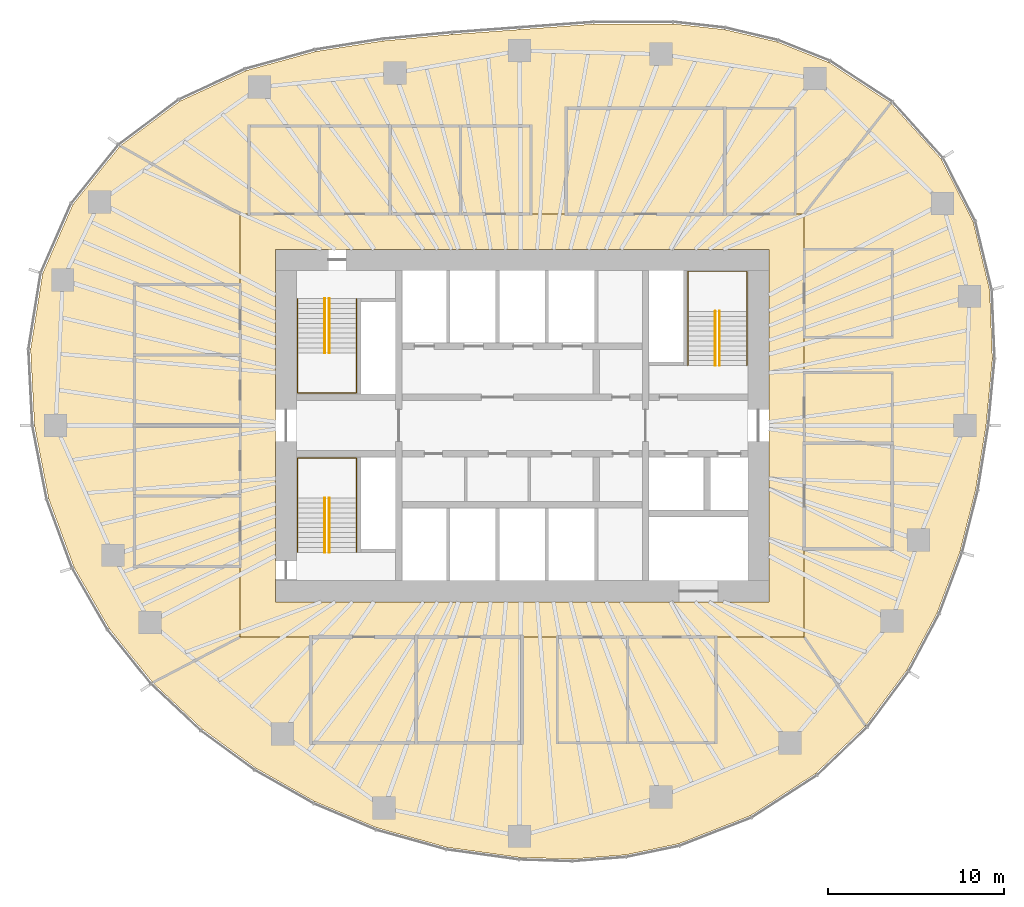
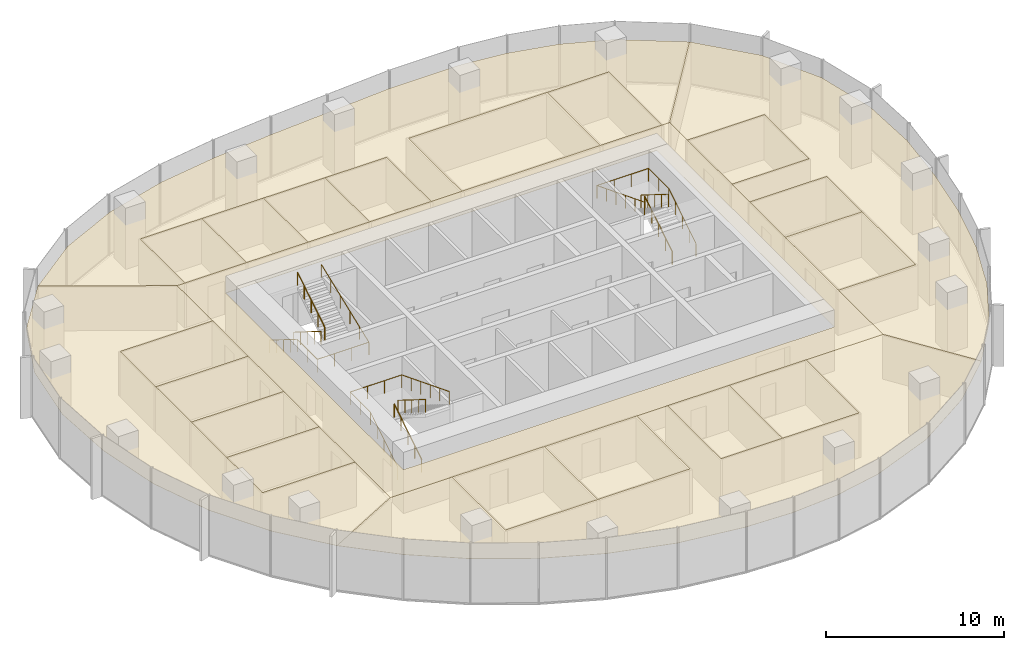
# One storey, part 12 of 12: 22 coverings, 9 railings.
"""IFC4 building model written with IfcOpenShell, lengths in metres."""

from ifc_helpers import new_model, si_unit, direction, frame, origin, origin_2d, place, context, subcontext, project, spatial, polyline, circle, outline, extrude, material, layer, layer_set, type_object, element, save


model = new_model("IFC4")

# Units and contexts
model_context = context("Model", 3, precision=1e-05, world=origin(), true_north=direction((0.0, 1.0)))
body_context = subcontext(model_context, "Body", "Model", "MODEL_VIEW")
ifc_project = project(units=[si_unit("LENGTHUNIT", "METRE"), si_unit("AREAUNIT", "SQUARE_METRE"), si_unit("VOLUMEUNIT", "CUBIC_METRE"), si_unit("PLANEANGLEUNIT", "RADIAN"), si_unit("MASSUNIT", "GRAM", prefix="KILO")], contexts=[model_context])

# Site, building, storey
site_placement = place(None, origin())
site = spatial("IfcSite", under=ifc_project, at=site_placement, CompositionType="ELEMENT")
building_placement = place(site_placement, origin())
building = spatial("IfcBuilding", under=site, at=building_placement, Name="Ghaith Harvest Tower", CompositionType="ELEMENT")
storey_placement = place(building_placement, frame((0.0, 0.0, 199.0)))
storey = spatial("IfcBuildingStorey", under=building, at=storey_placement, Name="L43", CompositionType="ELEMENT", Elevation=199.0)

# Coverings
ifc_material_1 = material(Name="Mineral fibre ceiling tile", Category="gypsum")
ifc_layer = layer(ifc_material_1, 0.02001953125)
ifc_layer_set = layer_set([ifc_layer], Name="CEILING C1")
covering_type = type_object("IfcCoveringType", Name="CEILING C1", PredefinedType="CEILING", material=ifc_layer_set)
covering_1_placement = place(storey_placement, frame((0.0, 0.0, 3.0)))
element("IfcCovering", 1, at=covering_1_placement, inside=storey, type_object=covering_type, Name="Ceiling L43-01", PredefinedType="CEILING", context=body_context, shape_type="SweptSolid", body=[
    extrude(outline(polyline([(-15.5, 12.0), (-11.5, 12.0), (-11.5, 17.0), (-15.5, 17.0), (-15.5, 12.0)])), origin(), (0.0, 0.0, 1.0), 0.02001953125),
])
covering_2_placement = place(storey_placement, frame((0.0, 0.0, 3.0)))
element("IfcCovering", 2, at=covering_2_placement, inside=storey, type_object=covering_type, Name="Ceiling L43-02", PredefinedType="CEILING", context=body_context, shape_type="SweptSolid", body=[
    extrude(outline(polyline([(-11.5, 12.0), (-7.5, 12.0), (-7.5, 17.0), (-11.5, 17.0), (-11.5, 12.0)])), origin(), (0.0, 0.0, 1.0), 0.02001953125),
])
covering_3_placement = place(storey_placement, frame((0.0, 0.0, 3.0)))
element("IfcCovering", 3, at=covering_3_placement, inside=storey, type_object=covering_type, Name="Ceiling L43-03", PredefinedType="CEILING", context=body_context, shape_type="SweptSolid", body=[
    extrude(outline(polyline([(-7.5, 12.0), (-3.5, 12.0), (-3.5, 17.0), (-7.5, 17.0), (-7.5, 12.0)])), origin(), (0.0, 0.0, 1.0), 0.02001953125),
])
covering_4_placement = place(storey_placement, frame((0.0, 0.0, 3.0)))
element("IfcCovering", 4, at=covering_4_placement, inside=storey, type_object=covering_type, Name="Ceiling L43-04", PredefinedType="CEILING", context=body_context, shape_type="SweptSolid", body=[
    extrude(outline(polyline([(-3.5, 12.0), (0.5, 12.0), (0.5, 17.0), (-3.5, 17.0), (-3.5, 12.0)])), origin(), (0.0, 0.0, 1.0), 0.02001953125),
])
covering_5_placement = place(storey_placement, frame((0.0, 0.0, 3.0)))
element("IfcCovering", 5, at=covering_5_placement, inside=storey, type_object=covering_type, Name="Ceiling L43-05", PredefinedType="CEILING", context=body_context, shape_type="SweptSolid", body=[
    extrude(outline(polyline([(2.5, 12.0), (11.5, 12.0), (11.5, 18.0), (2.5, 18.0), (2.5, 12.0)])), origin(), (0.0, 0.0, 1.0), 0.02001953125),
])
covering_6_placement = place(storey_placement, frame((0.0, 0.0, 3.0)))
element("IfcCovering", 6, at=covering_6_placement, inside=storey, type_object=covering_type, Name="Ceiling L43-06", PredefinedType="CEILING", context=body_context, shape_type="SweptSolid", body=[
    extrude(outline(polyline([(11.5, 12.0), (15.5, 12.0), (15.5, 18.0), (11.5, 18.0), (11.5, 12.0)])), origin(), (0.0, 0.0, 1.0), 0.02001953125),
])
covering_7_placement = place(storey_placement, frame((0.0, 0.0, 3.0)))
element("IfcCovering", 7, at=covering_7_placement, inside=storey, type_object=covering_type, Name="Ceiling L43-07", PredefinedType="CEILING", context=body_context, shape_type="SweptSolid", body=[
    extrude(outline(polyline([(-12.0, -18.0), (-6.0, -18.0), (-6.0, -12.0), (-12.0, -12.0), (-12.0, -18.0)])), origin(), (0.0, 0.0, 1.0), 0.02001953125),
])
covering_8_placement = place(storey_placement, frame((0.0, 0.0, 3.0)))
element("IfcCovering", 8, at=covering_8_placement, inside=storey, type_object=covering_type, Name="Ceiling L43-08", PredefinedType="CEILING", context=body_context, shape_type="SweptSolid", body=[
    extrude(outline(polyline([(-6.0, -18.0), (0.0, -18.0), (0.0, -12.0), (-6.0, -12.0), (-6.0, -18.0)])), origin(), (0.0, 0.0, 1.0), 0.02001953125),
])
covering_9_placement = place(storey_placement, frame((0.0, 0.0, 3.0)))
element("IfcCovering", 9, at=covering_9_placement, inside=storey, type_object=covering_type, Name="Ceiling L43-09", PredefinedType="CEILING", context=body_context, shape_type="SweptSolid", body=[
    extrude(outline(polyline([(2.0, -18.0), (6.0, -18.0), (6.0, -12.0), (2.0, -12.0), (2.0, -18.0)])), origin(), (0.0, 0.0, 1.0), 0.02001953125),
])
covering_10_placement = place(storey_placement, frame((0.0, 0.0, 3.0)))
element("IfcCovering", 10, at=covering_10_placement, inside=storey, type_object=covering_type, Name="Ceiling L43-10", PredefinedType="CEILING", context=body_context, shape_type="SweptSolid", body=[
    extrude(outline(polyline([(6.0, -18.0), (11.0, -18.0), (11.0, -12.0), (6.0, -12.0), (6.0, -18.0)])), origin(), (0.0, 0.0, 1.0), 0.02001953125),
])
covering_11_placement = place(storey_placement, frame((0.0, 0.0, 3.0)))
element("IfcCovering", 11, at=covering_11_placement, inside=storey, type_object=covering_type, Name="Ceiling L43-11", PredefinedType="CEILING", context=body_context, shape_type="SweptSolid", body=[
    extrude(outline(polyline([(16.0, -7.0), (21.0, -7.0), (21.0, -1.0), (16.0, -1.0), (16.0, -7.0)])), origin(), (0.0, 0.0, 1.0), 0.02001953125),
])
covering_12_placement = place(storey_placement, frame((0.0, 0.0, 3.0)))
element("IfcCovering", 12, at=covering_12_placement, inside=storey, type_object=covering_type, Name="Ceiling L43-12", PredefinedType="CEILING", context=body_context, shape_type="SweptSolid", body=[
    extrude(outline(polyline([(16.0, -1.0), (21.0, -1.0), (21.0, 3.0), (16.0, 3.0), (16.0, -1.0)])), origin(), (0.0, 0.0, 1.0), 0.02001953125),
])
covering_13_placement = place(storey_placement, frame((0.0, 0.0, 3.0)))
element("IfcCovering", 13, at=covering_13_placement, inside=storey, type_object=covering_type, Name="Ceiling L43-13", PredefinedType="CEILING", context=body_context, shape_type="SweptSolid", body=[
    extrude(outline(polyline([(-22.0, -8.0), (-16.0, -8.0), (-16.0, -4.0), (-22.0, -4.0), (-22.0, -8.0)])), origin(), (0.0, 0.0, 1.0), 0.02001953125),
])
covering_14_placement = place(storey_placement, frame((0.0, 0.0, 3.0)))
element("IfcCovering", 14, at=covering_14_placement, inside=storey, type_object=covering_type, Name="Ceiling L43-14", PredefinedType="CEILING", context=body_context, shape_type="SweptSolid", body=[
    extrude(outline(polyline([(-22.0, -4.0), (-16.0, -4.0), (-16.0, 0.0), (-22.0, 0.0), (-22.0, -4.0)])), origin(), (0.0, 0.0, 1.0), 0.02001953125),
])
covering_15_placement = place(storey_placement, frame((0.0, 0.0, 3.0)))
element("IfcCovering", 15, at=covering_15_placement, inside=storey, type_object=covering_type, Name="Ceiling L43-15", PredefinedType="CEILING", context=body_context, shape_type="SweptSolid", body=[
    extrude(outline(polyline([(-22.0, 0.0), (-16.0, 0.0), (-16.0, 4.0), (-22.0, 4.0), (-22.0, 0.0)])), origin(), (0.0, 0.0, 1.0), 0.02001953125),
])
covering_16_placement = place(storey_placement, frame((0.0, 0.0, 3.0)))
element("IfcCovering", 16, at=covering_16_placement, inside=storey, type_object=covering_type, Name="Ceiling L43-16", PredefinedType="CEILING", context=body_context, shape_type="SweptSolid", body=[
    extrude(outline(polyline([(-22.0, 4.0), (-16.0, 4.0), (-16.0, 8.0), (-22.0, 8.0), (-22.0, 4.0)])), origin(), (0.0, 0.0, 1.0), 0.02001953125),
])
covering_17_placement = place(storey_placement, frame((0.0, 0.0, 3.0)))
element("IfcCovering", 17, at=covering_17_placement, inside=storey, type_object=covering_type, Name="Ceiling L43-17", PredefinedType="CEILING", context=body_context, shape_type="SweptSolid", body=[
    extrude(outline(polyline([(16.0, 5.0), (21.0, 5.0), (21.0, 10.0), (16.0, 10.0), (16.0, 5.0)])), origin(), (0.0, 0.0, 1.0), 0.02001953125),
])
covering_18_placement = place(storey_placement, frame((0.0, 0.0, 3.0)))
element("IfcCovering", 18, at=covering_18_placement, inside=storey, type_object=covering_type, Name="Ceiling L43-C1", PredefinedType="CEILING", context=body_context, shape_type="SweptSolid", body=[
    extrude(outline(polyline([(-16.0, 12.0), (16.0, 12.0), (16.0, -12.0), (-16.0, -12.0), (-16.0, 12.0)]), holes=[polyline([(-14.0, 10.0), (-14.0, -10.0), (14.0, -10.0), (14.0, 10.0), (-14.0, 10.0)])]), origin(), (0.0, 0.0, 1.0), 0.02001953125),
])
covering_19_placement = place(storey_placement, frame((0.0, 0.0, 3.0)))
element("IfcCovering", 19, at=covering_19_placement, inside=storey, type_object=covering_type, Name="Ceiling L43-N1", PredefinedType="CEILING", context=body_context, shape_type="SweptSolid", body=[
    extrude(outline(polyline([(-19.408203125, 18.41650390625), (-15.6474609375, 20.147705078125), (-11.694580078125, 21.2314453125), (-7.8837890625, 21.827880859375), (-3.963134765625, 22.192138671875), (-0.15380859375, 22.470458984375), (4.03857421875, 22.78125), (8.522216796875, 22.796875), (11.47265625, 22.47265625), (14.460693359375, 21.771484375), (17.382080078125, 20.612548828125), (20.923095703125, 18.295166015625), (16.0, 12.0), (15.5, 12.0), (15.5, 18.0), (2.5, 18.0), (2.5, 12.0), (0.5, 12.0), (0.5, 17.0), (-15.5, 17.0), (-15.5, 12.0), (-16.0, 12.0), (-22.809814453125, 15.87109375), (-19.408203125, 18.41650390625)])), origin(), (0.0, 0.0, 1.0), 0.02001953125),
])
covering_20_placement = place(storey_placement, frame((0.0, 0.0, 3.0)))
element("IfcCovering", 20, at=covering_20_placement, inside=storey, type_object=covering_type, Name="Ceiling L43-E1", PredefinedType="CEILING", context=body_context, shape_type="SweptSolid", body=[
    extrude(outline(polyline([(23.77294921875, 15.12939453125), (25.597900390625, 11.55615234375), (26.531005859375, 7.668212890625), (26.685791015625, 3.779052734375), (26.324951171875, 0.0), (25.734375, -3.644287109375), (24.840576171875, -7.179443359375), (23.548828125, -10.631103515625), (21.821533203125, -13.887451171875), (19.48388671875, -17.036865234375), (16.0, -12.0), (16.0, -7.0), (21.0, -7.0), (21.0, 3.0), (16.0, 3.0), (16.0, 5.0), (21.0, 5.0), (21.0, 10.0), (16.0, 10.0), (16.0, 12.0), (20.923095703125, 18.295166015625), (23.77294921875, 15.12939453125)])), origin(), (0.0, 0.0, 1.0), 0.02001953125),
])
covering_21_placement = place(storey_placement, frame((0.0, 0.0, 3.0)))
element("IfcCovering", 21, at=covering_21_placement, inside=storey, type_object=covering_type, Name="Ceiling L43-S1", PredefinedType="CEILING", context=body_context, shape_type="SweptSolid", body=[
    extrude(outline(polyline([(16.651611328125, -19.746337890625), (12.949462890625, -22.1435546875), (8.8740234375, -23.73779296875), (5.865234375, -24.3662109375), (2.833984375, -24.602294921875), (-0.167724609375, -24.505126953125), (-4.27490234375, -23.9375), (-8.2451171875, -22.82861328125), (-11.75732421875, -21.345703125), (-15.10400390625, -19.447998046875), (-18.15087890625, -17.223388671875), (-20.963134765625, -14.586181640625), (-16.0, -12.0), (-12.0, -12.0), (-12.0, -18.0), (0.0, -18.0), (0.0, -12.0), (2.0, -12.0), (2.0, -18.0), (11.0, -18.0), (11.0, -12.0), (16.0, -12.0), (19.48388671875, -17.036865234375), (16.651611328125, -19.746337890625)])), origin(), (0.0, 0.0, 1.0), 0.02001953125),
])
covering_22_placement = place(storey_placement, frame((0.0, 0.0, 3.0)))
element("IfcCovering", 22, at=covering_22_placement, inside=storey, type_object=covering_type, Name="Ceiling L43-W1", PredefinedType="CEILING", context=body_context, shape_type="SweptSolid", body=[
    extrude(outline(polyline([(-26.86669921875, -4.155517578125), (-27.675048828125, 0.0), (-27.897216796875, 4.314697265625), (-27.211181640625, 8.623779296875), (-25.491943359375, 12.547607421875), (-22.809814453125, 15.87109375), (-16.0, 12.0), (-16.0, 8.0), (-22.0, 8.0), (-22.0, -8.0), (-16.0, -8.0), (-16.0, -12.0), (-20.963134765625, -14.586181640625), (-23.425537109375, -11.530517578125), (-25.424072265625, -8.057373046875), (-26.86669921875, -4.155517578125)])), origin(), (0.0, 0.0, 1.0), 0.02001953125),
])

# Railings
ifc_material_2 = material(Name="Steel, black powder-coated", Category="steel")
railing_type = type_object("IfcRailingType", Name="HANDRAIL HR1", PredefinedType="HANDRAIL", material=ifc_material_2)
railing_1_placement = place(storey_placement, frame((-11.199951171875, 7.199951171875, 0.175048828125)))
element("IfcRailing", 23, at=railing_1_placement, inside=storey, type_object=railing_type, Name="Handrail HR1 stair ST1 L43 flight 1 inner", PredefinedType="HANDRAIL", context=body_context, shape_type="SweptSolid", body=[
    extrude(circle(Radius=0.02392578125, at=origin_2d()), frame((0.0, 0.0, 0.8759765625), z_axis=(0.0, -0.847979421464, 0.530029150871), x_axis=(1.0, 0.0, 0.0)), (0.0, 0.0, 1.0), 3.632080078125),
    extrude(circle(Radius=0.02099609375, at=origin_2d()), origin(), (0.0, 0.0, 1.0), 0.851806640625),
    extrude(circle(Radius=0.02099609375, at=origin_2d()), frame((0.0, -0.77001953125, 0.481201171875)), (0.0, 0.0, 1.0), 0.851806640625),
    extrude(circle(Radius=0.02099609375, at=origin_2d()), frame((0.0, -1.5400390625, 0.96240234375)), (0.0, 0.0, 1.0), 0.851806640625),
    extrude(circle(Radius=0.02099609375, at=origin_2d()), frame((0.0, -2.309814453125, 1.44384765625)), (0.0, 0.0, 1.0), 0.851806640625),
    extrude(circle(Radius=0.02099609375, at=origin_2d()), frame((0.0, -3.079833984375, 1.925048828125)), (0.0, 0.0, 1.0), 0.851806640625),
])
railing_2_placement = place(storey_placement, frame((-10.949951171875, 4.1201171875, 2.27490234375)))
element("IfcRailing", 24, at=railing_2_placement, inside=storey, type_object=railing_type, Name="Handrail HR1 stair ST1 L43 flight 2 inner", PredefinedType="HANDRAIL", context=body_context, shape_type="SweptSolid", body=[
    extrude(circle(Radius=0.02392578125, at=origin_2d()), frame((0.0, 0.0, 0.8759765625), z_axis=(0.0, 0.847979421464, 0.530029150871), x_axis=(-1.0, 0.0, 0.0)), (0.0, 0.0, 1.0), 3.632080078125),
    extrude(circle(Radius=0.02099609375, at=origin_2d()), origin(), (0.0, 0.0, 1.0), 0.851806640625),
    extrude(circle(Radius=0.02099609375, at=origin_2d()), frame((0.0, 0.77001953125, 0.481201171875)), (0.0, 0.0, 1.0), 0.851806640625),
    extrude(circle(Radius=0.02099609375, at=origin_2d()), frame((0.0, 1.5400390625, 0.96240234375)), (0.0, 0.0, 1.0), 0.851806640625),
    extrude(circle(Radius=0.02099609375, at=origin_2d()), frame((0.0, 2.309814453125, 1.44384765625)), (0.0, 0.0, 1.0), 0.851806640625),
    extrude(circle(Radius=0.02099609375, at=origin_2d()), frame((0.0, 3.079833984375, 1.925048828125)), (0.0, 0.0, 1.0), 0.851806640625),
])
railing_3_placement = place(storey_placement, frame((-12.75, 7.199951171875, 0.175048828125)))
element("IfcRailing", 25, at=railing_3_placement, inside=storey, type_object=railing_type, Name="Handrail HR1 stair ST1 L43 wall side", PredefinedType="HANDRAIL", context=body_context, shape_type="SweptSolid", body=[
    extrude(circle(Radius=0.02392578125, at=origin_2d()), frame((0.0, 0.0, 0.8759765625), z_axis=(0.0, -0.847979421464, 0.530029150871), x_axis=(1.0, 0.0, 0.0)), (0.0, 0.0, 1.0), 3.632080078125),
    extrude(circle(Radius=0.02392578125, at=origin_2d()), frame((0.0, -3.079833984375, 2.80078125), z_axis=(0.0, -1.0, 0.0), x_axis=(1.0, 0.0, 0.0)), (0.0, 0.0, 1.0), 2.27001953125),
    extrude(circle(Radius=0.02392578125, at=origin_2d()), frame((0.0, -5.349853515625, 2.80078125), z_axis=(1.0, 0.0, 0.0), x_axis=(0.0, 1.0, 0.0)), (0.0, 0.0, 1.0), 3.35009765625),
    extrude(circle(Radius=0.02392578125, at=origin_2d()), frame((3.35009765625, -5.349853515625, 2.80078125), z_axis=(0.0, 0.930862461605, 0.365369781968), x_axis=(-1.0, 0.0, 0.0)), (0.0, 0.0, 1.0), 5.747314453125),
    extrude(circle(Radius=0.02099609375, at=origin_2d()), origin(), (0.0, 0.0, 1.0), 0.851806640625),
    extrude(circle(Radius=0.02099609375, at=origin_2d()), frame((0.0, -0.77001953125, 0.481201171875)), (0.0, 0.0, 1.0), 0.851806640625),
    extrude(circle(Radius=0.02099609375, at=origin_2d()), frame((0.0, -1.5400390625, 0.96240234375)), (0.0, 0.0, 1.0), 0.851806640625),
    extrude(circle(Radius=0.02099609375, at=origin_2d()), frame((0.0, -2.309814453125, 1.44384765625)), (0.0, 0.0, 1.0), 0.851806640625),
    extrude(circle(Radius=0.02099609375, at=origin_2d()), frame((0.0, -3.079833984375, 1.925048828125)), (0.0, 0.0, 1.0), 0.851806640625),
    extrude(circle(Radius=0.02099609375, at=origin_2d()), frame((0.0, -4.21484375, 1.925048828125)), (0.0, 0.0, 1.0), 0.851806640625),
    extrude(circle(Radius=0.02099609375, at=origin_2d()), frame((0.0, -5.349853515625, 1.925048828125)), (0.0, 0.0, 1.0), 0.851806640625),
    extrude(circle(Radius=0.02099609375, at=origin_2d()), frame((1.11669921875, -5.349853515625, 1.925048828125)), (0.0, 0.0, 1.0), 0.851806640625),
    extrude(circle(Radius=0.02099609375, at=origin_2d()), frame((2.2333984375, -5.349853515625, 1.925048828125)), (0.0, 0.0, 1.0), 0.851806640625),
    extrude(circle(Radius=0.02099609375, at=origin_2d()), frame((3.35009765625, -5.349853515625, 1.925048828125)), (0.0, 0.0, 1.0), 0.851806640625),
    extrude(circle(Radius=0.02099609375, at=origin_2d()), frame((3.35009765625, -4.27978515625, 2.344970703125)), (0.0, 0.0, 1.0), 0.851806640625),
    extrude(circle(Radius=0.02099609375, at=origin_2d()), frame((3.35009765625, -3.2099609375, 2.764892578125)), (0.0, 0.0, 1.0), 0.851806640625),
    extrude(circle(Radius=0.02099609375, at=origin_2d()), frame((3.35009765625, -2.139892578125, 3.18505859375)), (0.0, 0.0, 1.0), 0.851806640625),
    extrude(circle(Radius=0.02099609375, at=origin_2d()), frame((3.35009765625, -1.070068359375, 3.60498046875)), (0.0, 0.0, 1.0), 0.851806640625),
    extrude(circle(Radius=0.02099609375, at=origin_2d()), frame((3.35009765625, 0.0, 4.02490234375)), (0.0, 0.0, 1.0), 0.851806640625),
])
railing_4_placement = place(storey_placement, frame((-11.199951171875, -7.199951171875, 0.175048828125)))
element("IfcRailing", 26, at=railing_4_placement, inside=storey, type_object=railing_type, Name="Handrail HR1 stair ST3 L43 flight 1 inner", PredefinedType="HANDRAIL", context=body_context, shape_type="SweptSolid", body=[
    extrude(circle(Radius=0.02392578125, at=origin_2d()), frame((0.0, 0.0, 0.8759765625), z_axis=(0.0, 0.847979421464, 0.530029150871), x_axis=(-1.0, 0.0, 0.0)), (0.0, 0.0, 1.0), 3.632080078125),
    extrude(circle(Radius=0.02099609375, at=origin_2d()), origin(), (0.0, 0.0, 1.0), 0.851806640625),
    extrude(circle(Radius=0.02099609375, at=origin_2d()), frame((0.0, 0.77001953125, 0.481201171875)), (0.0, 0.0, 1.0), 0.851806640625),
    extrude(circle(Radius=0.02099609375, at=origin_2d()), frame((0.0, 1.5400390625, 0.96240234375)), (0.0, 0.0, 1.0), 0.851806640625),
    extrude(circle(Radius=0.02099609375, at=origin_2d()), frame((0.0, 2.309814453125, 1.44384765625)), (0.0, 0.0, 1.0), 0.851806640625),
    extrude(circle(Radius=0.02099609375, at=origin_2d()), frame((0.0, 3.079833984375, 1.925048828125)), (0.0, 0.0, 1.0), 0.851806640625),
])
railing_5_placement = place(storey_placement, frame((-10.949951171875, -4.1201171875, 2.27490234375)))
element("IfcRailing", 27, at=railing_5_placement, inside=storey, type_object=railing_type, Name="Handrail HR1 stair ST3 L43 flight 2 inner", PredefinedType="HANDRAIL", context=body_context, shape_type="SweptSolid", body=[
    extrude(circle(Radius=0.02392578125, at=origin_2d()), frame((0.0, 0.0, 0.8759765625), z_axis=(0.0, -0.847979421464, 0.530029150871), x_axis=(1.0, 0.0, 0.0)), (0.0, 0.0, 1.0), 3.632080078125),
    extrude(circle(Radius=0.02099609375, at=origin_2d()), origin(), (0.0, 0.0, 1.0), 0.851806640625),
    extrude(circle(Radius=0.02099609375, at=origin_2d()), frame((0.0, -0.77001953125, 0.481201171875)), (0.0, 0.0, 1.0), 0.851806640625),
    extrude(circle(Radius=0.02099609375, at=origin_2d()), frame((0.0, -1.5400390625, 0.96240234375)), (0.0, 0.0, 1.0), 0.851806640625),
    extrude(circle(Radius=0.02099609375, at=origin_2d()), frame((0.0, -2.309814453125, 1.44384765625)), (0.0, 0.0, 1.0), 0.851806640625),
    extrude(circle(Radius=0.02099609375, at=origin_2d()), frame((0.0, -3.079833984375, 1.925048828125)), (0.0, 0.0, 1.0), 0.851806640625),
])
railing_6_placement = place(storey_placement, frame((-12.75, -7.199951171875, 0.175048828125)))
element("IfcRailing", 28, at=railing_6_placement, inside=storey, type_object=railing_type, Name="Handrail HR1 stair ST3 L43 wall side", PredefinedType="HANDRAIL", context=body_context, shape_type="SweptSolid", body=[
    extrude(circle(Radius=0.02392578125, at=origin_2d()), frame((0.0, 0.0, 0.8759765625), z_axis=(0.0, 0.847979421464, 0.530029150871), x_axis=(-1.0, 0.0, 0.0)), (0.0, 0.0, 1.0), 3.632080078125),
    extrude(circle(Radius=0.02392578125, at=origin_2d()), frame((0.0, 3.079833984375, 2.80078125), z_axis=(0.0, 1.0, 0.0), x_axis=(-1.0, 0.0, 0.0)), (0.0, 0.0, 1.0), 2.27001953125),
    extrude(circle(Radius=0.02392578125, at=origin_2d()), frame((0.0, 5.349853515625, 2.80078125), z_axis=(1.0, 0.0, 0.0), x_axis=(0.0, 1.0, 0.0)), (0.0, 0.0, 1.0), 3.35009765625),
    extrude(circle(Radius=0.02392578125, at=origin_2d()), frame((3.35009765625, 5.349853515625, 2.80078125), z_axis=(0.0, -0.930862461605, 0.365369781968), x_axis=(1.0, 0.0, 0.0)), (0.0, 0.0, 1.0), 5.747314453125),
    extrude(circle(Radius=0.02099609375, at=origin_2d()), origin(), (0.0, 0.0, 1.0), 0.851806640625),
    extrude(circle(Radius=0.02099609375, at=origin_2d()), frame((0.0, 0.77001953125, 0.481201171875)), (0.0, 0.0, 1.0), 0.851806640625),
    extrude(circle(Radius=0.02099609375, at=origin_2d()), frame((0.0, 1.5400390625, 0.96240234375)), (0.0, 0.0, 1.0), 0.851806640625),
    extrude(circle(Radius=0.02099609375, at=origin_2d()), frame((0.0, 2.309814453125, 1.44384765625)), (0.0, 0.0, 1.0), 0.851806640625),
    extrude(circle(Radius=0.02099609375, at=origin_2d()), frame((0.0, 3.079833984375, 1.925048828125)), (0.0, 0.0, 1.0), 0.851806640625),
    extrude(circle(Radius=0.02099609375, at=origin_2d()), frame((0.0, 4.21484375, 1.925048828125)), (0.0, 0.0, 1.0), 0.851806640625),
    extrude(circle(Radius=0.02099609375, at=origin_2d()), frame((0.0, 5.349853515625, 1.925048828125)), (0.0, 0.0, 1.0), 0.851806640625),
    extrude(circle(Radius=0.02099609375, at=origin_2d()), frame((1.11669921875, 5.349853515625, 1.925048828125)), (0.0, 0.0, 1.0), 0.851806640625),
    extrude(circle(Radius=0.02099609375, at=origin_2d()), frame((2.2333984375, 5.349853515625, 1.925048828125)), (0.0, 0.0, 1.0), 0.851806640625),
    extrude(circle(Radius=0.02099609375, at=origin_2d()), frame((3.35009765625, 5.349853515625, 1.925048828125)), (0.0, 0.0, 1.0), 0.851806640625),
    extrude(circle(Radius=0.02099609375, at=origin_2d()), frame((3.35009765625, 4.27978515625, 2.344970703125)), (0.0, 0.0, 1.0), 0.851806640625),
    extrude(circle(Radius=0.02099609375, at=origin_2d()), frame((3.35009765625, 3.2099609375, 2.764892578125)), (0.0, 0.0, 1.0), 0.851806640625),
    extrude(circle(Radius=0.02099609375, at=origin_2d()), frame((3.35009765625, 2.139892578125, 3.18505859375)), (0.0, 0.0, 1.0), 0.851806640625),
    extrude(circle(Radius=0.02099609375, at=origin_2d()), frame((3.35009765625, 1.070068359375, 3.60498046875)), (0.0, 0.0, 1.0), 0.851806640625),
    extrude(circle(Radius=0.02099609375, at=origin_2d()), frame((3.35009765625, 0.0, 4.02490234375)), (0.0, 0.0, 1.0), 0.851806640625),
])
railing_7_placement = place(storey_placement, frame((11.199951171875, 3.39990234375, 0.175048828125)))
element("IfcRailing", 29, at=railing_7_placement, inside=storey, type_object=railing_type, Name="Handrail HR1 stair ST2 L43 flight 1 inner", PredefinedType="HANDRAIL", context=body_context, shape_type="SweptSolid", body=[
    extrude(circle(Radius=0.02392578125, at=origin_2d()), frame((0.0, 0.0, 0.8759765625), z_axis=(0.0, 0.847998304005, 0.529998940003), x_axis=(-1.0, 0.0, 0.0)), (0.0, 0.0, 1.0), 3.632080078125),
    extrude(circle(Radius=0.02099609375, at=origin_2d()), origin(), (0.0, 0.0, 1.0), 0.851806640625),
    extrude(circle(Radius=0.02099609375, at=origin_2d()), frame((0.0, 0.77001953125, 0.481201171875)), (0.0, 0.0, 1.0), 0.851806640625),
    extrude(circle(Radius=0.02099609375, at=origin_2d()), frame((0.0, 1.5400390625, 0.96240234375)), (0.0, 0.0, 1.0), 0.851806640625),
    extrude(circle(Radius=0.02099609375, at=origin_2d()), frame((0.0, 2.31005859375, 1.44384765625)), (0.0, 0.0, 1.0), 0.851806640625),
    extrude(circle(Radius=0.02099609375, at=origin_2d()), frame((0.0, 3.080078125, 1.925048828125)), (0.0, 0.0, 1.0), 0.851806640625),
])
railing_8_placement = place(storey_placement, frame((10.949951171875, 6.47998046875, 2.27490234375)))
element("IfcRailing", 30, at=railing_8_placement, inside=storey, type_object=railing_type, Name="Handrail HR1 stair ST2 L43 flight 2 inner", PredefinedType="HANDRAIL", context=body_context, shape_type="SweptSolid", body=[
    extrude(circle(Radius=0.02392578125, at=origin_2d()), frame((0.0, 0.0, 0.8759765625), z_axis=(0.0, -0.847998304005, 0.529998940003), x_axis=(1.0, 0.0, 0.0)), (0.0, 0.0, 1.0), 3.632080078125),
    extrude(circle(Radius=0.02099609375, at=origin_2d()), origin(), (0.0, 0.0, 1.0), 0.851806640625),
    extrude(circle(Radius=0.02099609375, at=origin_2d()), frame((0.0, -0.77001953125, 0.481201171875)), (0.0, 0.0, 1.0), 0.851806640625),
    extrude(circle(Radius=0.02099609375, at=origin_2d()), frame((0.0, -1.5400390625, 0.96240234375)), (0.0, 0.0, 1.0), 0.851806640625),
    extrude(circle(Radius=0.02099609375, at=origin_2d()), frame((0.0, -2.31005859375, 1.44384765625)), (0.0, 0.0, 1.0), 0.851806640625),
    extrude(circle(Radius=0.02099609375, at=origin_2d()), frame((0.0, -3.080078125, 1.925048828125)), (0.0, 0.0, 1.0), 0.851806640625),
])
railing_9_placement = place(storey_placement, frame((12.75, 3.39990234375, 0.175048828125)))
element("IfcRailing", 31, at=railing_9_placement, inside=storey, type_object=railing_type, Name="Handrail HR1 stair ST2 L43 wall side", PredefinedType="HANDRAIL", context=body_context, shape_type="SweptSolid", body=[
    extrude(circle(Radius=0.02392578125, at=origin_2d()), frame((0.0, 0.0, 0.8759765625), z_axis=(0.0, 0.847998304005, 0.529998940003), x_axis=(-1.0, 0.0, 0.0)), (0.0, 0.0, 1.0), 3.632080078125),
    extrude(circle(Radius=0.02392578125, at=origin_2d()), frame((0.0, 3.080078125, 2.80078125), z_axis=(0.0, 1.0, 0.0), x_axis=(-1.0, 0.0, 0.0)), (0.0, 0.0, 1.0), 2.27001953125),
    extrude(circle(Radius=0.02392578125, at=origin_2d()), frame((0.0, 5.35009765625, 2.80078125), z_axis=(-1.0, 0.0, 0.0), x_axis=(0.0, -1.0, 0.0)), (0.0, 0.0, 1.0), 3.35009765625),
    extrude(circle(Radius=0.02392578125, at=origin_2d()), frame((-3.35009765625, 5.35009765625, 2.80078125), z_axis=(0.0, -0.930868132128, 0.365355334692), x_axis=(1.0, 0.0, 0.0)), (0.0, 0.0, 1.0), 5.747314453125),
    extrude(circle(Radius=0.02099609375, at=origin_2d()), origin(), (0.0, 0.0, 1.0), 0.851806640625),
    extrude(circle(Radius=0.02099609375, at=origin_2d()), frame((0.0, 0.77001953125, 0.481201171875)), (0.0, 0.0, 1.0), 0.851806640625),
    extrude(circle(Radius=0.02099609375, at=origin_2d()), frame((0.0, 1.5400390625, 0.96240234375)), (0.0, 0.0, 1.0), 0.851806640625),
    extrude(circle(Radius=0.02099609375, at=origin_2d()), frame((0.0, 2.31005859375, 1.44384765625)), (0.0, 0.0, 1.0), 0.851806640625),
    extrude(circle(Radius=0.02099609375, at=origin_2d()), frame((0.0, 3.080078125, 1.925048828125)), (0.0, 0.0, 1.0), 0.851806640625),
    extrude(circle(Radius=0.02099609375, at=origin_2d()), frame((0.0, 4.215087890625, 1.925048828125)), (0.0, 0.0, 1.0), 0.851806640625),
    extrude(circle(Radius=0.02099609375, at=origin_2d()), frame((0.0, 5.35009765625, 1.925048828125)), (0.0, 0.0, 1.0), 0.851806640625),
    extrude(circle(Radius=0.02099609375, at=origin_2d()), frame((-1.11669921875, 5.35009765625, 1.925048828125)), (0.0, 0.0, 1.0), 0.851806640625),
    extrude(circle(Radius=0.02099609375, at=origin_2d()), frame((-2.2333984375, 5.35009765625, 1.925048828125)), (0.0, 0.0, 1.0), 0.851806640625),
    extrude(circle(Radius=0.02099609375, at=origin_2d()), frame((-3.35009765625, 5.35009765625, 1.925048828125)), (0.0, 0.0, 1.0), 0.851806640625),
    extrude(circle(Radius=0.02099609375, at=origin_2d()), frame((-3.35009765625, 4.280029296875, 2.344970703125)), (0.0, 0.0, 1.0), 0.851806640625),
    extrude(circle(Radius=0.02099609375, at=origin_2d()), frame((-3.35009765625, 3.2099609375, 2.764892578125)), (0.0, 0.0, 1.0), 0.851806640625),
    extrude(circle(Radius=0.02099609375, at=origin_2d()), frame((-3.35009765625, 2.14013671875, 3.18505859375)), (0.0, 0.0, 1.0), 0.851806640625),
    extrude(circle(Radius=0.02099609375, at=origin_2d()), frame((-3.35009765625, 1.070068359375, 3.60498046875)), (0.0, 0.0, 1.0), 0.851806640625),
    extrude(circle(Radius=0.02099609375, at=origin_2d()), frame((-3.35009765625, 0.0, 4.02490234375)), (0.0, 0.0, 1.0), 0.851806640625),
])

save(model, "model.ifc")
